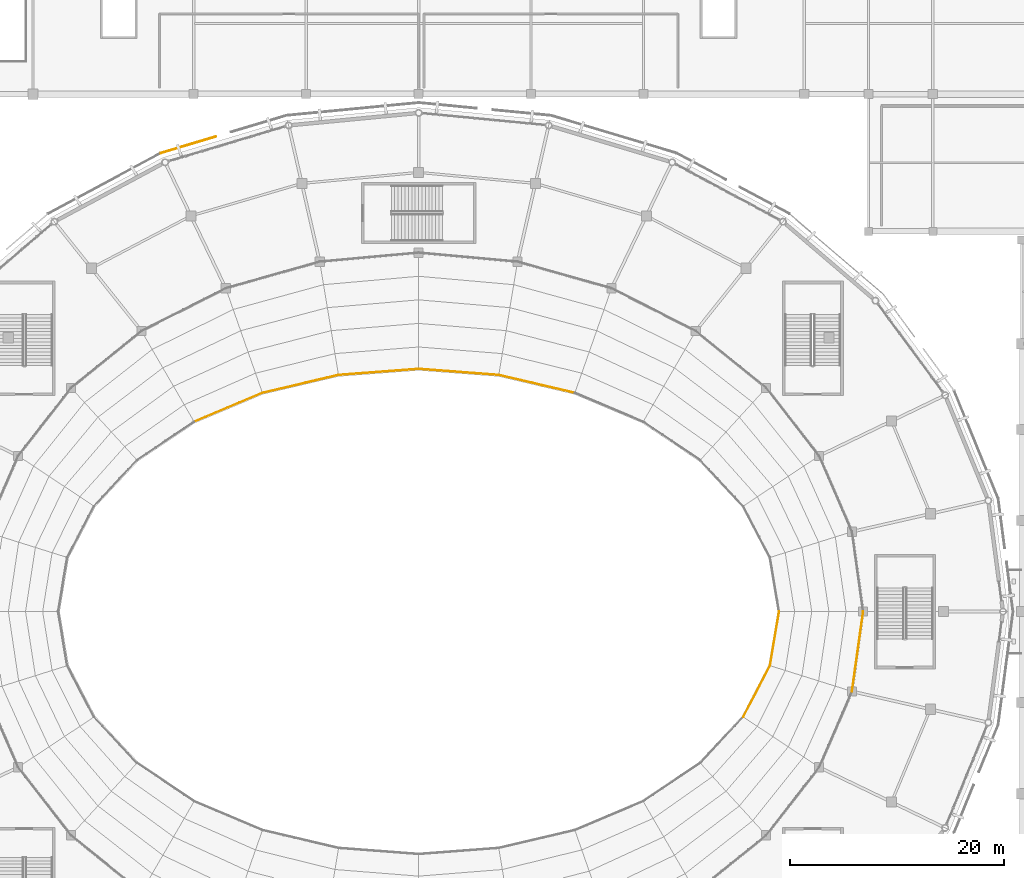
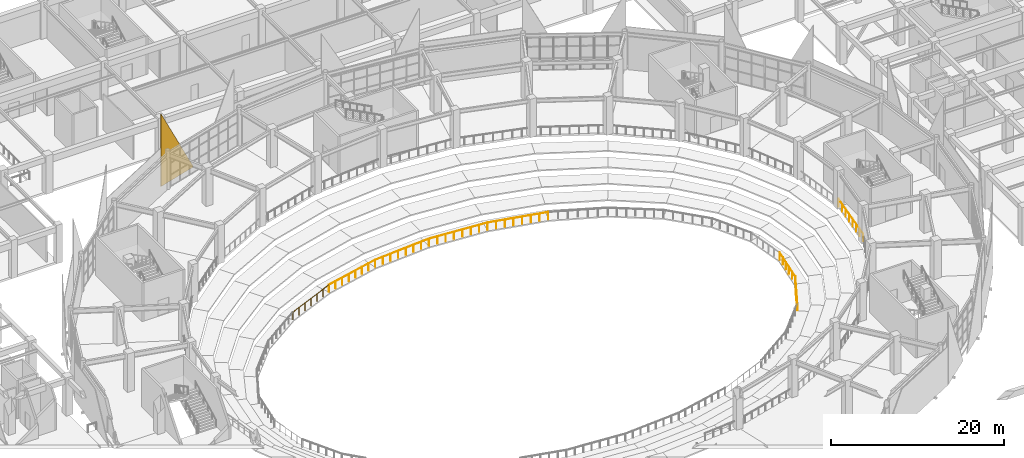
# One storey, part 106 of 120: 8 railings, 1 covering.
"""IFC4 building model written with IfcOpenShell, lengths in metres."""

import ifcopenshell
import ifcopenshell.guid

model = None  # the IFC model being written
_history = None  # IfcOwnerHistory: only IFC2X3 demands one
_inside = {}  # id of a spatial element -> (the spatial element, [elements in it])
_under = {}  # id of a project, library or spatial element -> (it, [spatial elements below it])
_declared = {}  # id of a project -> (the project, [libraries it declares])
_typed = {}  # id of a type object -> (the type object, [elements of that type])
_made_of = {}  # id of a material, layer set ... -> (it, [elements and type objects made of it])


def new_model(schema):
    """Start an empty IFC model of exactly this schema.

    Asked for "IFC4X3", IfcOpenShell would pick the latest addendum, in which some entities
    have other attributes; the version numbers below select the first issue.
    IFC2X3 requires an IfcOwnerHistory on every rooted entity: one is made here for all.
    """
    global model, _history
    if schema == "IFC4X3":
        model = ifcopenshell.file(schema_version=(4, 3, 0, 0))
    else:
        model = ifcopenshell.file(schema=schema)
    _inside.clear()
    _under.clear()
    _declared.clear()
    _typed.clear()
    _made_of.clear()
    _history = None
    if model.schema == "IFC2X3":
        org = make("IfcOrganization", Name="unknown")
        user = make(
            "IfcPersonAndOrganization",
            ThePerson=make("IfcPerson", FamilyName="unknown"),
            TheOrganization=org,
        )
        app = make(
            "IfcApplication",
            ApplicationDeveloper=org,
            Version="unknown",
            ApplicationFullName="unknown",
            ApplicationIdentifier="unknown",
        )
        _history = make(
            "IfcOwnerHistory",
            OwningUser=user,
            OwningApplication=app,
            ChangeAction="ADDED",
            CreationDate=0,
        )
    return model


def make(cls, **values):
    """One entity of the class cls with the attributes given. An attribute that is None is left unset."""
    return model.create_entity(
        cls, **{name: value for name, value in values.items() if value is not None}
    )


def rooted(cls, **values):
    """An entity with a GlobalId (a new one), such as an element, a storey or a relation."""
    return make(cls, GlobalId=ifcopenshell.guid.new(), OwnerHistory=_history, **values)


def si_unit(unit_type, name, prefix=None):
    """IfcSIUnit, for example si_unit("LENGTHUNIT", "METRE", prefix="MILLI")."""
    return make("IfcSIUnit", UnitType=unit_type, Prefix=prefix, Name=name)


def assignment(units):
    """IfcUnitAssignment: the units of a project."""
    return None if units is None else make("IfcUnitAssignment", Units=units)


def point(xyz):
    """IfcCartesianPoint."""
    return None if xyz is None else make("IfcCartesianPoint", Coordinates=xyz)


def direction(xyz):
    """IfcDirection."""
    return None if xyz is None else make("IfcDirection", DirectionRatios=xyz)


def frame(location, z_axis=None, x_axis=None):
    """IfcAxis2Placement3D, a coordinate frame: its origin and axes. An axis left out is left unset."""
    return make(
        "IfcAxis2Placement3D",
        Location=point(location),
        Axis=direction(z_axis),
        RefDirection=direction(x_axis),
    )


def frame_2d(location, x_axis=None):
    """IfcAxis2Placement2D, a coordinate frame in the plane: its origin and x axis."""
    return make(
        "IfcAxis2Placement2D", Location=point(location), RefDirection=direction(x_axis)
    )


def origin():
    """The frame at (0, 0, 0) with its axes left unset."""
    return frame((0.0, 0.0, 0.0))


def origin_2d():
    """The frame at (0, 0) in the plane with its x axis left unset."""
    return frame_2d((0.0, 0.0))


def place(relative_to, where):
    """IfcLocalPlacement: puts the frame where relative to a parent placement (None: the world)."""
    return make(
        "IfcLocalPlacement", PlacementRelTo=relative_to, RelativePlacement=where
    )


def context(
    kind, dimensions, precision=None, world=None, true_north=None, identifier=None
):
    """IfcGeometricRepresentationContext, for example the 3D "Model" context."""
    return make(
        "IfcGeometricRepresentationContext",
        ContextIdentifier=identifier,
        ContextType=kind,
        CoordinateSpaceDimension=dimensions,
        Precision=precision,
        WorldCoordinateSystem=world,
        TrueNorth=true_north,
    )


def subcontext(parent, identifier, kind, view, scale=None):
    """IfcGeometricRepresentationSubContext, for example "Body" below "Model"."""
    return make(
        "IfcGeometricRepresentationSubContext",
        ContextIdentifier=identifier,
        ContextType=kind,
        ParentContext=parent,
        TargetScale=scale,
        TargetView=view,
    )


def project(units=None, contexts=None):
    """IfcProject with its units and contexts."""
    return rooted(
        "IfcProject",
        Name="project",
        RepresentationContexts=contexts,
        UnitsInContext=assignment(units),
    )


def spatial(cls, under=None, at=None, **own):
    """A site, building, storey or space (cls), placed at a placement, below another one or the project."""
    s = rooted(cls, ObjectPlacement=at, **own)
    if under is not None:
        _under.setdefault(under.id(), (under, []))[1].append(s)
    return s


def polyline(points):
    """IfcPolyline through the points."""
    return make("IfcPolyline", Points=[point(p) for p in points])


def profile(cls, at=None, kind="AREA", **sizes):
    """A parametric profile (cls). Its sizes go by their IFC names, for example OverallWidth=200.0."""
    return make(cls, ProfileType=kind, Position=at, **sizes)


def circle(**sizes):
    """IfcCircleProfileDef."""
    return profile("IfcCircleProfileDef", **sizes)


def outline(outer, holes=None, kind="AREA"):
    """IfcArbitraryClosedProfileDef: a profile drawn as a closed curve; with holes, ...WithVoids."""
    if holes is None:
        return make("IfcArbitraryClosedProfileDef", ProfileType=kind, OuterCurve=outer)
    return make(
        "IfcArbitraryProfileDefWithVoids",
        ProfileType=kind,
        OuterCurve=outer,
        InnerCurves=holes,
    )


def extrude(swept, where, along, depth):
    """IfcExtrudedAreaSolid: the profile swept, set in the frame where, extruded along a direction by depth."""
    return make(
        "IfcExtrudedAreaSolid",
        SweptArea=swept,
        Position=where,
        ExtrudedDirection=direction(along),
        Depth=depth,
    )


def shape(context_of_items, identifier, shape_type, items):
    """IfcShapeRepresentation: the items that make up one representation, for example the "Body"."""
    return make(
        "IfcShapeRepresentation",
        ContextOfItems=context_of_items,
        RepresentationIdentifier=identifier,
        RepresentationType=shape_type,
        Items=items,
    )


def material(Name=None, Category=None):
    """IfcMaterial."""
    return make("IfcMaterial", Name=Name, Category=Category)


def layer(
    of_material, thickness, ventilated=None, Name=None, Category=None, Priority=None
):
    """IfcMaterialLayer: one layer of a wall or slab, of a material (None: an air gap)."""
    return make(
        "IfcMaterialLayer",
        Material=of_material,
        LayerThickness=thickness,
        IsVentilated=ventilated,
        Name=Name,
        Category=Category,
        Priority=Priority,
    )


def layer_set(layers, Name=None):
    """IfcMaterialLayerSet."""
    return make("IfcMaterialLayerSet", MaterialLayers=layers, LayerSetName=Name)


def made_of(thing, what):
    """Note that an element or type object is made of a material, layer set ...; save() writes the relation."""
    if what is not None:
        _made_of.setdefault(what.id(), (what, []))[1].append(thing)
    return thing


def type_object(cls, material=None, **own):
    """A type object (cls), such as IfcWallType, which elements share."""
    return made_of(rooted(cls, **own), material)


def element(
    cls,
    number,
    at=None,
    inside=None,
    cuts=None,
    type_object=None,
    material=None,
    context=None,
    identifier="Body",
    shape_type=None,
    held_by="IfcProductDefinitionShape",
    body=None,
    shapes=None,
    **own,
):
    """One element of the class cls, such as IfcWall. Its Tag is "e" and its number.

    at: its placement. inside: the storey or other place that contains it. cuts: it is an
    opening in that element (IfcRelVoidsElement). A single representation is given by context,
    identifier, shape_type and body (its items); several are given by shapes. held_by: the class
    of the entity that holds the representations. save() writes the other relations.
    """
    e = rooted(cls, Tag="e%d" % number, ObjectPlacement=at, **own)
    if body is not None:
        shapes = [shape(context, identifier, shape_type, body)]
    if shapes is not None:
        e.Representation = make(held_by, Representations=shapes)
    if inside is not None:
        _inside.setdefault(inside.id(), (inside, []))[1].append(e)
    if cuts is not None:
        rooted(
            "IfcRelVoidsElement", RelatingBuildingElement=cuts, RelatedOpeningElement=e
        )
    if type_object is not None:
        _typed.setdefault(type_object.id(), (type_object, []))[1].append(e)
    return made_of(e, material)


def aggregate(whole, parts):
    """IfcRelAggregates: a whole, such as a stair, and the parts it consists of."""
    return rooted("IfcRelAggregates", RelatingObject=whole, RelatedObjects=parts)


def save(model, path):
    """Write the relations noted so far, then the file.

    IfcRelAggregates (storeys below a building ...), IfcRelContainedInSpatialStructure (elements
    in a storey), IfcRelDefinesByType, IfcRelAssociatesMaterial and IfcRelDeclares: one each for
    every whole, place, type object, material and project.
    """
    for whole, parts in _under.values():
        aggregate(whole, parts)
    for where, things in _inside.values():
        rooted(
            "IfcRelContainedInSpatialStructure",
            RelatedElements=things,
            RelatingStructure=where,
        )
    for kind, things in _typed.values():
        rooted("IfcRelDefinesByType", RelatedObjects=things, RelatingType=kind)
    for what, things in _made_of.values():
        rooted("IfcRelAssociatesMaterial", RelatedObjects=things, RelatingMaterial=what)
    for by, libraries in _declared.values():
        rooted("IfcRelDeclares", RelatingContext=by, RelatedDefinitions=libraries)
    model.write(path)


model = new_model("IFC4")

# Units and contexts
model_context = context("Model", 3, precision=1e-05, world=origin(), true_north=direction((0.0, 1.0)))
body_context = subcontext(model_context, "Body", "Model", "MODEL_VIEW")
ifc_project = project(units=[si_unit("LENGTHUNIT", "METRE"), si_unit("AREAUNIT", "SQUARE_METRE"), si_unit("VOLUMEUNIT", "CUBIC_METRE"), si_unit("PLANEANGLEUNIT", "RADIAN"), si_unit("MASSUNIT", "GRAM", prefix="KILO")], contexts=[model_context])

# Site, building, storey
site_placement = place(None, origin())
site = spatial("IfcSite", under=ifc_project, at=site_placement, CompositionType="ELEMENT")
building_placement = place(site_placement, origin())
building = spatial("IfcBuilding", under=site, at=building_placement, Name="Cuetzalor Civic Arena", CompositionType="ELEMENT")
storey_placement = place(building_placement, frame((0.0, 0.0, 6.0)))
storey = spatial("IfcBuildingStorey", under=building, at=storey_placement, Name="L01", CompositionType="ELEMENT", Elevation=6.0)

# Railings
ifc_material_1 = material(Name="Reseda-green Steel S355 and laminated glass guard", Category="steel")
railing_type = type_object("IfcRailingType", Name="BowlSightlineGuard_1100", PredefinedType="BALUSTRADE", material=ifc_material_1)
railing_1_placement = place(storey_placement, frame((14.60009765625, 20.406982421875, -4.800048828125)))
element("IfcRailing", 1, at=railing_1_placement, inside=storey, type_object=railing_type, Name="Lower Bowl Front Sightline Guard S06", PredefinedType="BALUSTRADE", context=body_context, shape_type="SweptSolid", body=[
    extrude(circle(Radius=0.02392578125, at=origin_2d()), frame((0.0, 0.0, 1.076171875), z_axis=(-0.9733693839, 0.229242322633, 0.0), x_axis=(-0.229242322633, -0.9733693839, 0.0)), (0.0, 0.0, 1.0), 7.306884765625),
    extrude(circle(Radius=0.02099609375, at=origin_2d()), origin(), (0.0, 0.0, 1.0), 1.052001953125),
    extrude(circle(Radius=0.02099609375, at=origin_2d()), frame((-1.01611328125, 0.2392578125, 0.0)), (0.0, 0.0, 1.0), 1.052001953125),
    extrude(circle(Radius=0.02099609375, at=origin_2d()), frame((-2.031982421875, 0.478515625, 0.0)), (0.0, 0.0, 1.0), 1.052001953125),
    extrude(circle(Radius=0.02099609375, at=origin_2d()), frame((-3.048095703125, 0.7177734375, 0.0)), (0.0, 0.0, 1.0), 1.052001953125),
    extrude(circle(Radius=0.02099609375, at=origin_2d()), frame((-4.064208984375, 0.957275390625, 0.0)), (0.0, 0.0, 1.0), 1.052001953125),
    extrude(circle(Radius=0.02099609375, at=origin_2d()), frame((-5.080322265625, 1.196533203125, 0.0)), (0.0, 0.0, 1.0), 1.052001953125),
    extrude(circle(Radius=0.02099609375, at=origin_2d()), frame((-6.09619140625, 1.435791015625, 0.0)), (0.0, 0.0, 1.0), 1.052001953125),
    extrude(circle(Radius=0.02099609375, at=origin_2d()), frame((-7.1123046875, 1.675048828125, 0.0)), (0.0, 0.0, 1.0), 1.052001953125),
])
railing_2_placement = place(storey_placement, frame((7.48779296875, 22.08203125, -4.800048828125)))
element("IfcRailing", 2, at=railing_2_placement, inside=storey, type_object=railing_type, Name="Lower Bowl Front Sightline Guard S07", PredefinedType="BALUSTRADE", context=body_context, shape_type="SweptSolid", body=[
    extrude(circle(Radius=0.02392578125, at=origin_2d()), frame((0.0, 0.0, 1.076171875), z_axis=(-0.99713652521, 0.075622417921, 0.0), x_axis=(-0.075622417921, -0.99713652521, 0.0)), (0.0, 0.0, 1.0), 7.50927734375),
    extrude(circle(Radius=0.02099609375, at=origin_2d()), origin(), (0.0, 0.0, 1.0), 1.052001953125),
    extrude(circle(Radius=0.02099609375, at=origin_2d()), frame((-1.069580078125, 0.0810546875, 0.0)), (0.0, 0.0, 1.0), 1.052001953125),
    extrude(circle(Radius=0.02099609375, at=origin_2d()), frame((-2.139404296875, 0.162353515625, 0.0)), (0.0, 0.0, 1.0), 1.052001953125),
    extrude(circle(Radius=0.02099609375, at=origin_2d()), frame((-3.208984375, 0.243408203125, 0.0)), (0.0, 0.0, 1.0), 1.052001953125),
    extrude(circle(Radius=0.02099609375, at=origin_2d()), frame((-4.27880859375, 0.324462890625, 0.0)), (0.0, 0.0, 1.0), 1.052001953125),
    extrude(circle(Radius=0.02099609375, at=origin_2d()), frame((-5.348388671875, 0.405517578125, 0.0)), (0.0, 0.0, 1.0), 1.052001953125),
    extrude(circle(Radius=0.02099609375, at=origin_2d()), frame((-6.418212890625, 0.48681640625, 0.0)), (0.0, 0.0, 1.0), 1.052001953125),
    extrude(circle(Radius=0.02099609375, at=origin_2d()), frame((-7.48779296875, 0.56787109375, 0.0)), (0.0, 0.0, 1.0), 1.052001953125),
])
railing_3_placement = place(storey_placement, frame((0.0, 22.64990234375, -4.800048828125)))
element("IfcRailing", 3, at=railing_3_placement, inside=storey, type_object=railing_type, Name="Lower Bowl Front Sightline Guard S08", PredefinedType="BALUSTRADE", context=body_context, shape_type="SweptSolid", body=[
    extrude(circle(Radius=0.02392578125, at=origin_2d()), frame((0.0, 0.0, 1.076171875), z_axis=(-0.99713652521, -0.075622417921, 0.0), x_axis=(0.075622417921, -0.99713652521, 0.0)), (0.0, 0.0, 1.0), 7.50927734375),
    extrude(circle(Radius=0.02099609375, at=origin_2d()), origin(), (0.0, 0.0, 1.0), 1.052001953125),
    extrude(circle(Radius=0.02099609375, at=origin_2d()), frame((-1.069580078125, -0.0810546875, 0.0)), (0.0, 0.0, 1.0), 1.052001953125),
    extrude(circle(Radius=0.02099609375, at=origin_2d()), frame((-2.139404296875, -0.162353515625, 0.0)), (0.0, 0.0, 1.0), 1.052001953125),
    extrude(circle(Radius=0.02099609375, at=origin_2d()), frame((-3.208984375, -0.243408203125, 0.0)), (0.0, 0.0, 1.0), 1.052001953125),
    extrude(circle(Radius=0.02099609375, at=origin_2d()), frame((-4.27880859375, -0.324462890625, 0.0)), (0.0, 0.0, 1.0), 1.052001953125),
    extrude(circle(Radius=0.02099609375, at=origin_2d()), frame((-5.348388671875, -0.405517578125, 0.0)), (0.0, 0.0, 1.0), 1.052001953125),
    extrude(circle(Radius=0.02099609375, at=origin_2d()), frame((-6.418212890625, -0.48681640625, 0.0)), (0.0, 0.0, 1.0), 1.052001953125),
    extrude(circle(Radius=0.02099609375, at=origin_2d()), frame((-7.48779296875, -0.56787109375, 0.0)), (0.0, 0.0, 1.0), 1.052001953125),
])
railing_4_placement = place(storey_placement, frame((-7.48779296875, 22.08203125, -4.800048828125)))
element("IfcRailing", 4, at=railing_4_placement, inside=storey, type_object=railing_type, Name="Lower Bowl Front Sightline Guard S09", PredefinedType="BALUSTRADE", context=body_context, shape_type="SweptSolid", body=[
    extrude(circle(Radius=0.02392578125, at=origin_2d()), frame((0.0, 0.0, 1.076171875), z_axis=(-0.9733693839, -0.229242322633, 0.0), x_axis=(0.229242322633, -0.9733693839, 0.0)), (0.0, 0.0, 1.0), 7.306884765625),
    extrude(circle(Radius=0.02099609375, at=origin_2d()), origin(), (0.0, 0.0, 1.0), 1.052001953125),
    extrude(circle(Radius=0.02099609375, at=origin_2d()), frame((-1.01611328125, -0.2392578125, 0.0)), (0.0, 0.0, 1.0), 1.052001953125),
    extrude(circle(Radius=0.02099609375, at=origin_2d()), frame((-2.031982421875, -0.478515625, 0.0)), (0.0, 0.0, 1.0), 1.052001953125),
    extrude(circle(Radius=0.02099609375, at=origin_2d()), frame((-3.048095703125, -0.7177734375, 0.0)), (0.0, 0.0, 1.0), 1.052001953125),
    extrude(circle(Radius=0.02099609375, at=origin_2d()), frame((-4.064208984375, -0.957275390625, 0.0)), (0.0, 0.0, 1.0), 1.052001953125),
    extrude(circle(Radius=0.02099609375, at=origin_2d()), frame((-5.080322265625, -1.196533203125, 0.0)), (0.0, 0.0, 1.0), 1.052001953125),
    extrude(circle(Radius=0.02099609375, at=origin_2d()), frame((-6.09619140625, -1.435791015625, 0.0)), (0.0, 0.0, 1.0), 1.052001953125),
    extrude(circle(Radius=0.02099609375, at=origin_2d()), frame((-7.1123046875, -1.675048828125, 0.0)), (0.0, 0.0, 1.0), 1.052001953125),
])
railing_5_placement = place(storey_placement, frame((-14.60009765625, 20.406982421875, -4.800048828125)))
element("IfcRailing", 5, at=railing_5_placement, inside=storey, type_object=railing_type, Name="Lower Bowl Front Sightline Guard S10", PredefinedType="BALUSTRADE", context=body_context, shape_type="SweptSolid", body=[
    extrude(circle(Radius=0.02392578125, at=origin_2d()), frame((0.0, 0.0, 1.076171875), z_axis=(-0.921013938975, -0.389529619174, 0.0), x_axis=(0.389529619174, -0.921013938975, 0.0)), (0.0, 0.0, 1.0), 6.927490234375),
    extrude(circle(Radius=0.02099609375, at=origin_2d()), origin(), (0.0, 0.0, 1.0), 1.052001953125),
    extrude(circle(Radius=0.02099609375, at=origin_2d()), frame((-1.0634765625, -0.44970703125, 0.0)), (0.0, 0.0, 1.0), 1.052001953125),
    extrude(circle(Radius=0.02099609375, at=origin_2d()), frame((-2.126708984375, -0.8994140625, 0.0)), (0.0, 0.0, 1.0), 1.052001953125),
    extrude(circle(Radius=0.02099609375, at=origin_2d()), frame((-3.190185546875, -1.34912109375, 0.0)), (0.0, 0.0, 1.0), 1.052001953125),
    extrude(circle(Radius=0.02099609375, at=origin_2d()), frame((-4.253662109375, -1.799072265625, 0.0)), (0.0, 0.0, 1.0), 1.052001953125),
    extrude(circle(Radius=0.02099609375, at=origin_2d()), frame((-5.31689453125, -2.248779296875, 0.0)), (0.0, 0.0, 1.0), 1.052001953125),
    extrude(circle(Radius=0.02099609375, at=origin_2d()), frame((-6.38037109375, -2.698486328125, 0.0)), (0.0, 0.0, 1.0), 1.052001953125),
])
railing_6_placement = place(storey_placement, frame((30.317626953125, -9.827392578125, -4.800048828125)))
element("IfcRailing", 6, at=railing_6_placement, inside=storey, type_object=railing_type, Name="Lower Bowl Front Sightline Guard S27", PredefinedType="BALUSTRADE", context=body_context, shape_type="SweptSolid", body=[
    extrude(circle(Radius=0.02392578125, at=origin_2d()), frame((0.0, 0.0, 1.076171875), z_axis=(0.46125728024, 0.88726643204, 0.0), x_axis=(-0.88726643204, 0.46125728024, 0.0)), (0.0, 0.0, 1.0), 5.3955078125),
    extrude(circle(Radius=0.02099609375, at=origin_2d()), origin(), (0.0, 0.0, 1.0), 1.052001953125),
    extrude(circle(Radius=0.02099609375, at=origin_2d()), frame((0.497802734375, 0.95751953125, 0.0)), (0.0, 0.0, 1.0), 1.052001953125),
    extrude(circle(Radius=0.02099609375, at=origin_2d()), frame((0.99560546875, 1.9150390625, 0.0)), (0.0, 0.0, 1.0), 1.052001953125),
    extrude(circle(Radius=0.02099609375, at=origin_2d()), frame((1.4931640625, 2.872314453125, 0.0)), (0.0, 0.0, 1.0), 1.052001953125),
    extrude(circle(Radius=0.02099609375, at=origin_2d()), frame((1.990966796875, 3.829833984375, 0.0)), (0.0, 0.0, 1.0), 1.052001953125),
    extrude(circle(Radius=0.02099609375, at=origin_2d()), frame((2.48876953125, 4.787353515625, 0.0)), (0.0, 0.0, 1.0), 1.052001953125),
])
railing_7_placement = place(storey_placement, frame((32.806396484375, -5.0400390625, -4.800048828125)))
element("IfcRailing", 7, at=railing_7_placement, inside=storey, type_object=railing_type, Name="Lower Bowl Front Sightline Guard S28", PredefinedType="BALUSTRADE", context=body_context, shape_type="SweptSolid", body=[
    extrude(circle(Radius=0.02392578125, at=origin_2d()), frame((0.0, 0.0, 1.076171875), z_axis=(0.165065227875, 0.986282652462, 0.0), x_axis=(-0.986282652462, 0.165065227875, 0.0)), (0.0, 0.0, 1.0), 5.110107421875),
    extrude(circle(Radius=0.02099609375, at=origin_2d()), origin(), (0.0, 0.0, 1.0), 1.052001953125),
    extrude(circle(Radius=0.02099609375, at=origin_2d()), frame((0.168701171875, 1.008056640625, 0.0)), (0.0, 0.0, 1.0), 1.052001953125),
    extrude(circle(Radius=0.02099609375, at=origin_2d()), frame((0.33740234375, 2.01611328125, 0.0)), (0.0, 0.0, 1.0), 1.052001953125),
    extrude(circle(Radius=0.02099609375, at=origin_2d()), frame((0.506103515625, 3.02392578125, 0.0)), (0.0, 0.0, 1.0), 1.052001953125),
    extrude(circle(Radius=0.02099609375, at=origin_2d()), frame((0.6748046875, 4.031982421875, 0.0)), (0.0, 0.0, 1.0), 1.052001953125),
    extrude(circle(Radius=0.02099609375, at=origin_2d()), frame((0.843505859375, 5.0400390625, 0.0)), (0.0, 0.0, 1.0), 1.052001953125),
])
railing_8_placement = place(storey_placement, frame((40.45947265625, -7.45458984375, 0.0)))
element("IfcRailing", 8, at=railing_8_placement, inside=storey, type_object=railing_type, Name="Lower Bowl Concourse Rim Balustrade S28", PredefinedType="BALUSTRADE", context=body_context, shape_type="SweptSolid", body=[
    extrude(circle(Radius=0.02392578125, at=origin_2d()), frame((0.0, 0.0, 1.076171875), z_axis=(0.138241906656, 0.990398493155, 0.0), x_axis=(-0.990398493155, 0.138241906656, 0.0)), (0.0, 0.0, 1.0), 7.52685546875),
    extrude(circle(Radius=0.02099609375, at=origin_2d()), origin(), (0.0, 0.0, 1.0), 1.052001953125),
    extrude(circle(Radius=0.02099609375, at=origin_2d()), frame((0.148681640625, 1.06494140625, 0.0)), (0.0, 0.0, 1.0), 1.052001953125),
    extrude(circle(Radius=0.02099609375, at=origin_2d()), frame((0.29736328125, 2.1298828125, 0.0)), (0.0, 0.0, 1.0), 1.052001953125),
    extrude(circle(Radius=0.02099609375, at=origin_2d()), frame((0.446044921875, 3.19482421875, 0.0)), (0.0, 0.0, 1.0), 1.052001953125),
    extrude(circle(Radius=0.02099609375, at=origin_2d()), frame((0.594482421875, 4.259765625, 0.0)), (0.0, 0.0, 1.0), 1.052001953125),
    extrude(circle(Radius=0.02099609375, at=origin_2d()), frame((0.7431640625, 5.32470703125, 0.0)), (0.0, 0.0, 1.0), 1.052001953125),
    extrude(circle(Radius=0.02099609375, at=origin_2d()), frame((0.891845703125, 6.3896484375, 0.0)), (0.0, 0.0, 1.0), 1.052001953125),
    extrude(circle(Radius=0.02099609375, at=origin_2d()), frame((1.04052734375, 7.45458984375, 0.0)), (0.0, 0.0, 1.0), 1.052001953125),
])

# Covering
ifc_material_2 = material(Name="Terracotta-red perforated anodised aluminium panel", Category="masonry")
ifc_layer = layer(ifc_material_2, 0.080078125)
ifc_layer_set = layer_set([ifc_layer], Name="Terracotta-red perforated anodised aluminium panel")
covering_type = type_object("IfcCoveringType", Name="TerracottaPerforatedScreenPanel", PredefinedType="CLADDING", material=ifc_layer_set)
covering_placement = place(storey_placement, frame((-24.08056640625, 42.7958984375, -0.14990234375), z_axis=(0.0, 0.0, 1.0), x_axis=(0.957958374655, 0.286907219199, 0.0)))
element("IfcCovering", 9, at=covering_placement, inside=storey, type_object=covering_type, Name="Terracotta Perforated Triangle Cheek Left S09", PredefinedType="CLADDING", context=body_context, shape_type="SweptSolid", body=[
    extrude(outline(polyline([(0.0, 0.0), (5.38818359375, 0.0), (5.387939453125, 0.139892578125), (0.0, 10.22998046875), (0.0, 0.0)])), frame((0.0, 0.0400390625, 0.0), z_axis=(0.0, -1.0, 0.0), x_axis=(1.0, 0.0, 0.0)), (0.0, 0.0, 1.0), 0.080078125),
])

save(model, "model.ifc")
